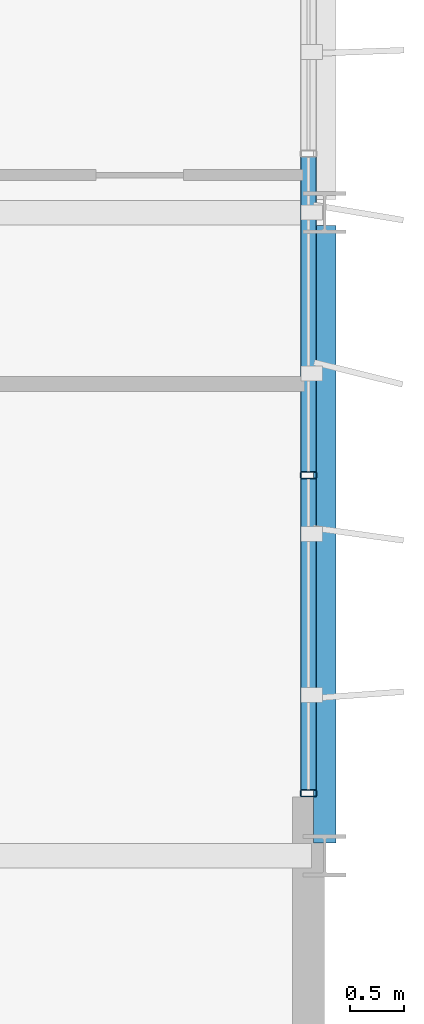
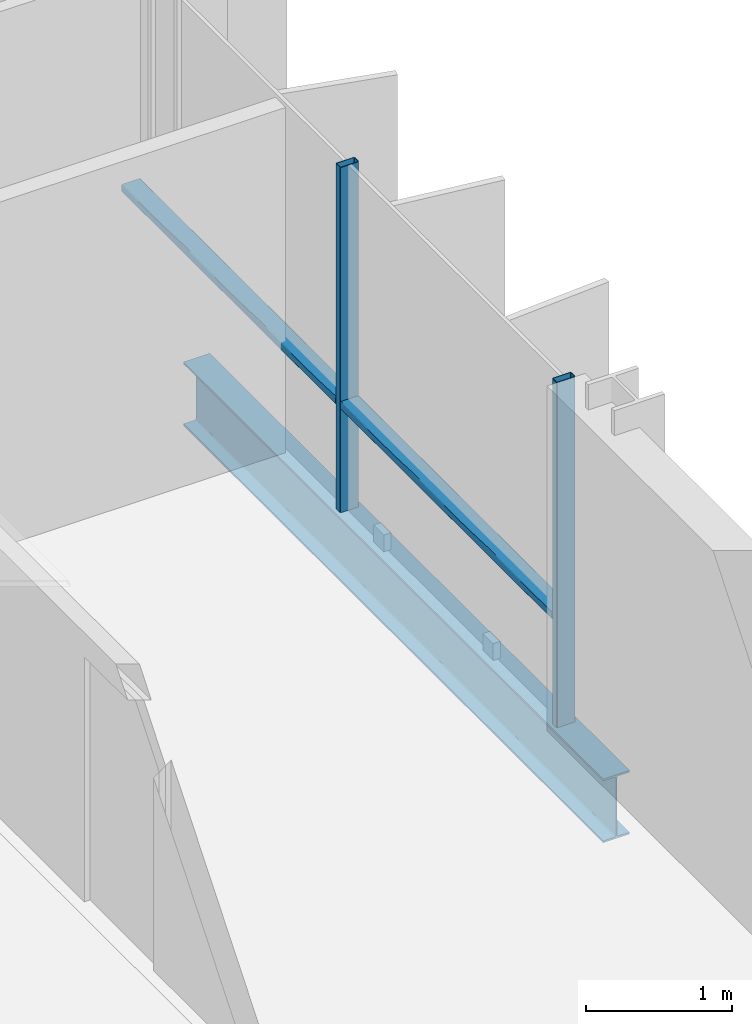
# One storey, part 17 of 38: 4 members, 1 beam, 1 element without a shape of its own.
"""IFC4 building model written with IfcOpenShell, lengths in metres."""

from ifc_helpers import new_model, si_unit, direction, frame, origin, origin_2d, place, context, subcontext, project, spatial, hollow_rectangle, i_section, extrude, material, layer, layer_set, material_profile, profile_set, type_object, element, aggregate, save


model = new_model("IFC4")

# Units and contexts
model_context = context("Model", 3, precision=1e-05, world=origin(), true_north=direction((0.0, 1.0)))
body_context = subcontext(model_context, "Body", "Model", "MODEL_VIEW")
ifc_project = project(units=[si_unit("LENGTHUNIT", "METRE"), si_unit("AREAUNIT", "SQUARE_METRE"), si_unit("VOLUMEUNIT", "CUBIC_METRE"), si_unit("PLANEANGLEUNIT", "RADIAN"), si_unit("MASSUNIT", "GRAM", prefix="KILO")], contexts=[model_context])

# Site, building, storey
site_placement = place(None, origin())
site = spatial("IfcSite", under=ifc_project, at=site_placement, CompositionType="ELEMENT")
building_placement = place(site_placement, origin())
building = spatial("IfcBuilding", under=site, at=building_placement, Name="Brevholm Reach", CompositionType="ELEMENT")
storey_placement = place(building_placement, frame((0.0, 0.0, 172.800048828125)))
storey = spatial("IfcBuildingStorey", under=building, at=storey_placement, Name="L52", CompositionType="ELEMENT", Elevation=172.800048828125)

# Beam
ifc_material_1 = material(Name="Structural Steel S355J2", Category="steel")
ifc_material_profile_1 = material_profile(ifc_material_1, i_section(OverallWidth=0.209228515625, OverallDepth=0.533203125, WebThickness=0.010009765625, FlangeThickness=0.015625, FilletRadius=0.0126953125, at=origin_2d()), Name="UKB 533x210x92")
ifc_profile_set_1 = profile_set([ifc_material_profile_1], Name="Structural Steel S355J2")
beam_type = type_object("IfcBeamType", Name="BM-SP533", PredefinedType="SPANDREL", material=ifc_profile_set_1)
beam_placement = place(storey_placement, frame((60.0, 10.1201171875, -0.4765625), z_axis=(0.0, 1.0, 0.0), x_axis=(-1.0, 0.0, 0.0)))
element("IfcBeam", 1, at=beam_placement, inside=storey, type_object=beam_type, Name="L52 SP-02 Framing Beam", PredefinedType="SPANDREL", context=body_context, shape_type="SweptSolid", body=[
    extrude(i_section(OverallWidth=0.209228515625, OverallDepth=0.533203125, WebThickness=0.010009765625, FlangeThickness=0.015625, FilletRadius=0.0126953125, at=origin_2d()), origin(), (0.0, 0.0, 1.0), 5.759765625),
])

# Curtain wall, members
ifc_material_2 = material(Name="Dark Anodised Aluminium 6063-T6 and Solar-Control Glass", Category="aluminium")
ifc_layer = layer(ifc_material_2, 0.14990234375)
ifc_layer_set = layer_set([ifc_layer], Name="Dark Anodised Aluminium 6063-T6 and Solar-Control Glass")
curtain_wall_type = type_object("IfcCurtainWallType", Name="CW-01", PredefinedType="NOTDEFINED", material=ifc_layer_set)
curtain_wall_placement = place(storey_placement, origin())
curtain_wall = element("IfcCurtainWall", 2, at=curtain_wall_placement, inside=storey, type_object=curtain_wall_type, Name="L52 Curtain Wall CW-01", PredefinedType="NOTDEFINED")
ifc_material_3 = material(Name="Dark Anodised Aluminium 6063-T6", Category="aluminium")
ifc_material_profile_2 = material_profile(ifc_material_3, hollow_rectangle(XDim=0.06494140625, YDim=0.14990234375, WallThickness=0.0048828125, InnerFilletRadius=0.0048828125, OuterFilletRadius=0.010009765625, at=origin_2d()), Name="RHS 150x65x5")
ifc_profile_set_2 = profile_set([ifc_material_profile_2], Name="Dark Anodised Aluminium 6063-T6")
member_type_1 = type_object("IfcMemberType", Name="CWM-150", PredefinedType="MULLION", material=ifc_profile_set_2)
member_1_placement = place(storey_placement, frame((59.85009765625, 10.58251953125, 0.0), z_axis=(0.0, 0.0, 1.0), x_axis=(0.0, 1.0, 0.0)))
member_1 = element("IfcMember", 3, at=member_1_placement, type_object=member_type_1, Name="CM-150 Mullion 1", PredefinedType="MULLION", context=body_context, shape_type="SweptSolid", body=[
    extrude(hollow_rectangle(XDim=0.06494140625, YDim=0.14990234375, WallThickness=0.0048828125, InnerFilletRadius=0.0048828125, OuterFilletRadius=0.010009765625, at=origin_2d()), origin(), (0.0, 0.0, 1.0), 2.889892578125),
])
member_2_placement = place(storey_placement, frame((59.85009765625, 13.550048828125, 0.0), z_axis=(0.0, 0.0, 1.0), x_axis=(0.0, 1.0, 0.0)))
member_2 = element("IfcMember", 4, at=member_2_placement, type_object=member_type_1, Name="CM-150 Mullion 2", PredefinedType="MULLION", context=body_context, shape_type="SweptSolid", body=[
    extrude(hollow_rectangle(XDim=0.06494140625, YDim=0.14990234375, WallThickness=0.0048828125, InnerFilletRadius=0.0048828125, OuterFilletRadius=0.010009765625, at=origin_2d()), origin(), (0.0, 0.0, 1.0), 2.889892578125),
])
ifc_material_4 = material(Name="Dark Anodised Aluminium 6063-T6", Category="aluminium")
ifc_material_profile_3 = material_profile(ifc_material_4, hollow_rectangle(XDim=0.06494140625, YDim=0.14990234375, WallThickness=0.0048828125, InnerFilletRadius=0.0048828125, OuterFilletRadius=0.010009765625, at=origin_2d()), Name="RHS 150x65x5")
ifc_profile_set_3 = profile_set([ifc_material_profile_3], Name="Dark Anodised Aluminium 6063-T6")
member_type_2 = type_object("IfcMemberType", Name="CWT-150", PredefinedType="NOTDEFINED", material=ifc_profile_set_3)
member_3_placement = place(storey_placement, frame((59.85009765625, 10.614990234375, 0.89990234375), z_axis=(0.0, 1.0, 0.0), x_axis=(0.0, 0.0, 1.0)))
member_3 = element("IfcMember", 5, at=member_3_placement, type_object=member_type_2, Name="CT-150 Transom 1.1", ObjectType="TRANSOM", PredefinedType="USERDEFINED", context=body_context, shape_type="SweptSolid", body=[
    extrude(hollow_rectangle(XDim=0.06494140625, YDim=0.14990234375, WallThickness=0.0048828125, InnerFilletRadius=0.0048828125, OuterFilletRadius=0.010009765625, at=origin_2d()), origin(), (0.0, 0.0, 1.0), 2.902587890625),
])
member_4_placement = place(storey_placement, frame((59.85009765625, 13.58251953125, 0.89990234375), z_axis=(0.0, 1.0, 0.0), x_axis=(0.0, 0.0, 1.0)))
member_4 = element("IfcMember", 6, at=member_4_placement, type_object=member_type_2, Name="CT-150 Transom 2.1", ObjectType="TRANSOM", PredefinedType="USERDEFINED", context=body_context, shape_type="SweptSolid", body=[
    extrude(hollow_rectangle(XDim=0.06494140625, YDim=0.14990234375, WallThickness=0.0048828125, InnerFilletRadius=0.0048828125, OuterFilletRadius=0.010009765625, at=origin_2d()), origin(), (0.0, 0.0, 1.0), 2.93505859375),
])
aggregate(curtain_wall, [member_1, member_2, member_3, member_4])

save(model, "model.ifc")
